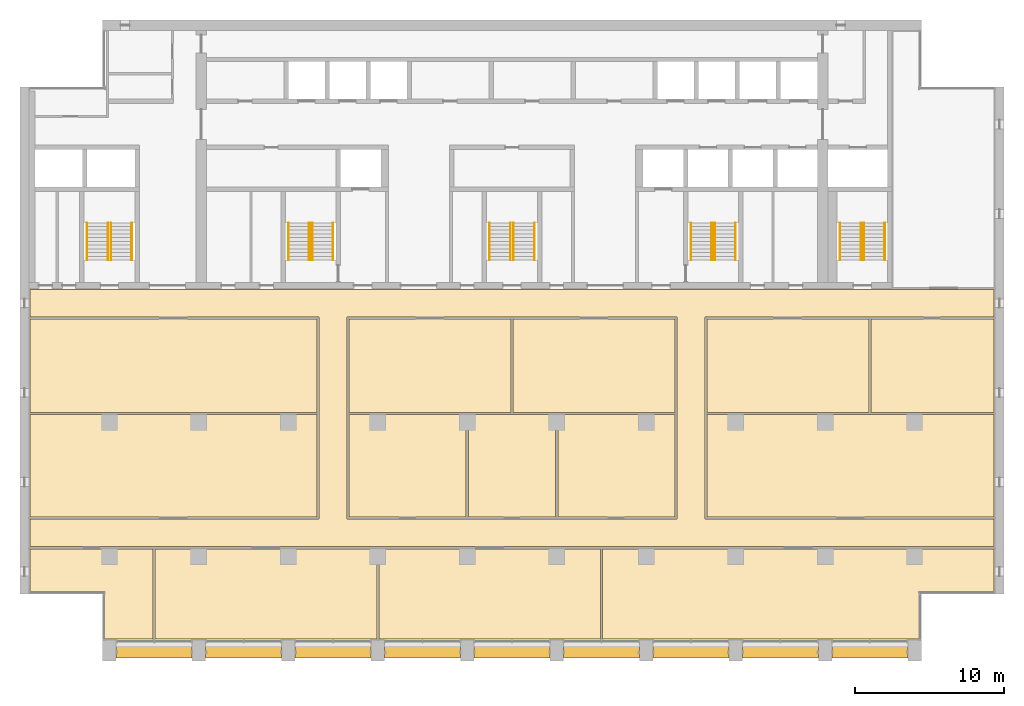
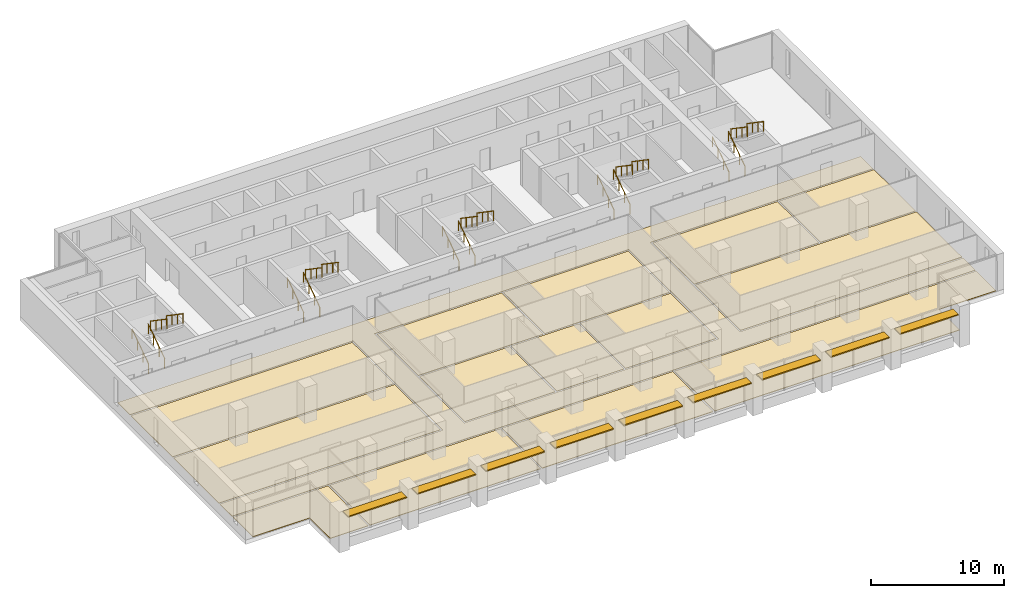
# One storey, part 16 of 17: 20 railings, 15 coverings, 9 shading devices, 5 elements without a shape of their own.
"""IFC4 building model written with IfcOpenShell, lengths in metres."""

from ifc_helpers import new_model, si_unit, direction, frame, origin, origin_2d, place, context, subcontext, project, spatial, polyline, rectangle, circle, outline, extrude, material, layer, layer_set, material_profile, profile_set, type_object, element, aggregate, save


model = new_model("IFC4")

# Units and contexts
model_context = context("Model", 3, precision=1e-05, world=origin(), true_north=direction((0.0, 1.0)))
body_context = subcontext(model_context, "Body", "Model", "MODEL_VIEW")
ifc_project = project(units=[si_unit("LENGTHUNIT", "METRE"), si_unit("AREAUNIT", "SQUARE_METRE"), si_unit("VOLUMEUNIT", "CUBIC_METRE"), si_unit("PLANEANGLEUNIT", "RADIAN"), si_unit("MASSUNIT", "GRAM", prefix="KILO")], contexts=[model_context])

# Site, building, storey
site_placement = place(None, origin())
site = spatial("IfcSite", under=ifc_project, at=site_placement, CompositionType="ELEMENT")
building_placement = place(site_placement, origin())
building = spatial("IfcBuilding", under=site, at=building_placement, Name="Calvaro Tower", CompositionType="ELEMENT")
storey_placement = place(building_placement, frame((0.0, 0.0, 189.25)))
storey = spatial("IfcBuildingStorey", under=building, at=storey_placement, Name="L47", CompositionType="ELEMENT", Elevation=189.25)

# Shading devices
ifc_material_1 = material(Name="Anodised aluminium", Category="aluminium")
ifc_material_profile = material_profile(ifc_material_1, rectangle(XDim=0.800048828125, YDim=0.10009765625, at=origin_2d()), Name="Brise-soleil blade 800 x 100")
ifc_profile_set = profile_set([ifc_material_profile], Name="Anodised aluminium")
shading_device_type = type_object("IfcShadingDeviceType", Name="Brise-soleil blade 800 x 100", PredefinedType="JALOUSIE", material=ifc_profile_set)
for number, where, z_axis, x_axis, name in (
    (1, (12.449951171875, 3.60009765625, 2.5), (1.0, 0.0, 0.0), (0.0, 1.0, 0.0), "Brise-soleil blade 1"),
    (2, (18.449951171875, 3.60009765625, 2.5), (1.0, 0.0, 0.0), (0.0, 1.0, 0.0), "Brise-soleil blade 2"),
    (3, (24.449951171875, 3.60009765625, 2.5), (1.0, 0.0, 0.0), (0.0, 1.0, 0.0), "Brise-soleil blade 3"),
    (4, (30.449951171875, 3.60009765625, 2.5), (1.0, 0.0, 0.0), (0.0, 1.0, 0.0), "Brise-soleil blade 4"),
    (5, (36.449951171875, 3.60009765625, 2.5), (1.0, 0.0, 0.0), (0.0, 1.0, 0.0), "Brise-soleil blade 5"),
    (6, (42.449951171875, 3.60009765625, 2.5), (1.0, 0.0, 0.0), (0.0, 1.0, 0.0), "Brise-soleil blade 6"),
    (7, (48.449951171875, 3.60009765625, 2.5), (1.0, 0.0, 0.0), (0.0, 1.0, 0.0), "Brise-soleil blade 7"),
    (8, (54.449951171875, 3.60009765625, 2.5), (1.0, 0.0, 0.0), (0.0, 1.0, 0.0), "Brise-soleil blade 8"),
    (9, (60.449951171875, 3.60009765625, 2.5), (1.0, 0.0, 0.0), (0.0, 1.0, 0.0), "Brise-soleil blade 9"),
):
    element("IfcShadingDevice", number, at=place(storey_placement, frame(where, z_axis=z_axis, x_axis=x_axis)), inside=storey, type_object=shading_device_type, Name=name, PredefinedType="JALOUSIE", context=body_context, shape_type="SweptSolid", body=[
        extrude(rectangle(XDim=0.800048828125, YDim=0.10009765625, at=origin_2d()), origin(), (0.0, 0.0, 1.0), 5.10009765625),
    ])

# Coverings
ifc_material_2 = material(Name="Cement screed with carpet tile finish")
ifc_layer = layer(ifc_material_2, 0.050048828125)
ifc_layer_set = layer_set([ifc_layer], Name="Cement screed with carpet tile finish")
covering_type = type_object("IfcCoveringType", Name="Floor finish 50", PredefinedType="FLOORING", material=ifc_layer_set)
covering_1_placement = place(storey_placement, origin())
element("IfcCovering", 10, at=covering_1_placement, inside=storey, type_object=covering_type, Name="Floor finish 27.01", PredefinedType="FLOORING", context=body_context, shape_type="SweptSolid", body=[
    extrude(outline(polyline([(6.669921875, 10.669921875), (6.669921875, 12.530029296875), (26.070068359375, 12.530029296875), (26.070068359375, 26.070068359375), (6.669921875, 26.070068359375), (6.669921875, 27.929931640625), (71.330078125, 27.929931640625), (71.330078125, 26.070068359375), (51.929931640625, 26.070068359375), (51.929931640625, 12.530029296875), (71.330078125, 12.530029296875), (71.330078125, 10.669921875), (6.669921875, 10.669921875)]), holes=[polyline([(50.070068359375, 12.530029296875), (50.070068359375, 26.070068359375), (27.929931640625, 26.070068359375), (27.929931640625, 12.530029296875), (50.070068359375, 12.530029296875)])]), origin(), (0.0, 0.0, 1.0), 0.050048828125),
])
covering_2_placement = place(storey_placement, origin())
element("IfcCovering", 11, at=covering_2_placement, inside=storey, type_object=covering_type, Name="Floor finish 27.05", PredefinedType="FLOORING", context=body_context, shape_type="SweptSolid", body=[
    extrude(outline(polyline([(14.929931640625, 10.530029296875), (14.929931640625, 4.469970703125), (11.6201171875, 4.469970703125), (11.6201171875, 7.570068359375), (6.669921875, 7.570068359375), (6.669921875, 10.530029296875), (14.929931640625, 10.530029296875)])), origin(), (0.0, 0.0, 1.0), 0.050048828125),
])
covering_3_placement = place(storey_placement, origin())
element("IfcCovering", 12, at=covering_3_placement, inside=storey, type_object=covering_type, Name="Floor finish 27.02", PredefinedType="FLOORING", context=body_context, shape_type="SweptSolid", body=[
    extrude(outline(polyline([(15.070068359375, 10.530029296875), (29.929931640625, 10.530029296875), (29.929931640625, 4.469970703125), (15.070068359375, 4.469970703125), (15.070068359375, 10.530029296875)])), origin(), (0.0, 0.0, 1.0), 0.050048828125),
])
covering_4_placement = place(storey_placement, origin())
element("IfcCovering", 13, at=covering_4_placement, inside=storey, type_object=covering_type, Name="Floor finish 27.03", PredefinedType="FLOORING", context=body_context, shape_type="SweptSolid", body=[
    extrude(outline(polyline([(30.070068359375, 10.530029296875), (44.929931640625, 10.530029296875), (44.929931640625, 4.469970703125), (30.070068359375, 4.469970703125), (30.070068359375, 10.530029296875)])), origin(), (0.0, 0.0, 1.0), 0.050048828125),
])
covering_5_placement = place(storey_placement, origin())
element("IfcCovering", 14, at=covering_5_placement, inside=storey, type_object=covering_type, Name="Floor finish 27.04", PredefinedType="FLOORING", context=body_context, shape_type="SweptSolid", body=[
    extrude(outline(polyline([(71.330078125, 7.570068359375), (66.3798828125, 7.570068359375), (66.3798828125, 4.469970703125), (45.070068359375, 4.469970703125), (45.070068359375, 10.530029296875), (71.330078125, 10.530029296875), (71.330078125, 7.570068359375)])), origin(), (0.0, 0.0, 1.0), 0.050048828125),
])
covering_6_placement = place(storey_placement, origin())
element("IfcCovering", 15, at=covering_6_placement, inside=storey, type_object=covering_type, Name="Floor finish 27.06", PredefinedType="FLOORING", context=body_context, shape_type="SweptSolid", body=[
    extrude(outline(polyline([(25.929931640625, 19.530029296875), (25.929931640625, 12.669921875), (6.669921875, 12.669921875), (6.669921875, 19.530029296875), (25.929931640625, 19.530029296875)])), origin(), (0.0, 0.0, 1.0), 0.050048828125),
])
covering_7_placement = place(storey_placement, origin())
element("IfcCovering", 16, at=covering_7_placement, inside=storey, type_object=covering_type, Name="Floor finish 27.11", PredefinedType="FLOORING", context=body_context, shape_type="SweptSolid", body=[
    extrude(outline(polyline([(25.929931640625, 25.929931640625), (25.929931640625, 19.669921875), (6.669921875, 19.669921875), (6.669921875, 25.929931640625), (25.929931640625, 25.929931640625)])), origin(), (0.0, 0.0, 1.0), 0.050048828125),
])
covering_8_placement = place(storey_placement, origin())
element("IfcCovering", 17, at=covering_8_placement, inside=storey, type_object=covering_type, Name="Floor finish 27.07", PredefinedType="FLOORING", context=body_context, shape_type="SweptSolid", body=[
    extrude(outline(polyline([(28.070068359375, 12.669921875), (28.070068359375, 19.530029296875), (35.929931640625, 19.530029296875), (35.929931640625, 12.669921875), (28.070068359375, 12.669921875)])), origin(), (0.0, 0.0, 1.0), 0.050048828125),
])
covering_9_placement = place(storey_placement, origin())
element("IfcCovering", 18, at=covering_9_placement, inside=storey, type_object=covering_type, Name="Floor finish 27.08", PredefinedType="FLOORING", context=body_context, shape_type="SweptSolid", body=[
    extrude(outline(polyline([(36.070068359375, 12.669921875), (36.070068359375, 19.530029296875), (41.929931640625, 19.530029296875), (41.929931640625, 12.669921875), (36.070068359375, 12.669921875)])), origin(), (0.0, 0.0, 1.0), 0.050048828125),
])
covering_10_placement = place(storey_placement, origin())
element("IfcCovering", 19, at=covering_10_placement, inside=storey, type_object=covering_type, Name="Floor finish 27.09", PredefinedType="FLOORING", context=body_context, shape_type="SweptSolid", body=[
    extrude(outline(polyline([(42.070068359375, 12.669921875), (42.070068359375, 19.530029296875), (49.929931640625, 19.530029296875), (49.929931640625, 12.669921875), (42.070068359375, 12.669921875)])), origin(), (0.0, 0.0, 1.0), 0.050048828125),
])
covering_11_placement = place(storey_placement, origin())
element("IfcCovering", 20, at=covering_11_placement, inside=storey, type_object=covering_type, Name="Floor finish 27.12", PredefinedType="FLOORING", context=body_context, shape_type="SweptSolid", body=[
    extrude(outline(polyline([(28.070068359375, 19.669921875), (28.070068359375, 25.929931640625), (38.929931640625, 25.929931640625), (38.929931640625, 19.669921875), (28.070068359375, 19.669921875)])), origin(), (0.0, 0.0, 1.0), 0.050048828125),
])
covering_12_placement = place(storey_placement, origin())
element("IfcCovering", 21, at=covering_12_placement, inside=storey, type_object=covering_type, Name="Floor finish 27.13", PredefinedType="FLOORING", context=body_context, shape_type="SweptSolid", body=[
    extrude(outline(polyline([(39.070068359375, 19.669921875), (39.070068359375, 25.929931640625), (49.929931640625, 25.929931640625), (49.929931640625, 19.669921875), (39.070068359375, 19.669921875)])), origin(), (0.0, 0.0, 1.0), 0.050048828125),
])
covering_13_placement = place(storey_placement, origin())
element("IfcCovering", 22, at=covering_13_placement, inside=storey, type_object=covering_type, Name="Floor finish 27.10", PredefinedType="FLOORING", context=body_context, shape_type="SweptSolid", body=[
    extrude(outline(polyline([(71.330078125, 12.669921875), (52.070068359375, 12.669921875), (52.070068359375, 19.530029296875), (71.330078125, 19.530029296875), (71.330078125, 12.669921875)])), origin(), (0.0, 0.0, 1.0), 0.050048828125),
])
covering_14_placement = place(storey_placement, origin())
element("IfcCovering", 23, at=covering_14_placement, inside=storey, type_object=covering_type, Name="Floor finish 27.14", PredefinedType="FLOORING", context=body_context, shape_type="SweptSolid", body=[
    extrude(outline(polyline([(52.070068359375, 19.669921875), (52.070068359375, 25.929931640625), (62.929931640625, 25.929931640625), (62.929931640625, 19.669921875), (52.070068359375, 19.669921875)])), origin(), (0.0, 0.0, 1.0), 0.050048828125),
])
covering_15_placement = place(storey_placement, origin())
element("IfcCovering", 24, at=covering_15_placement, inside=storey, type_object=covering_type, Name="Floor finish 27.15", PredefinedType="FLOORING", context=body_context, shape_type="SweptSolid", body=[
    extrude(outline(polyline([(71.330078125, 19.669921875), (63.070068359375, 19.669921875), (63.070068359375, 25.929931640625), (71.330078125, 25.929931640625), (71.330078125, 19.669921875)])), origin(), (0.0, 0.0, 1.0), 0.050048828125),
])

# Stair, railings
ifc_material_3 = material(Name="Concrete C40/50", Category="concrete")
stair_type = type_object("IfcStairType", Name="Exit stair 1400 2 flights", PredefinedType="HALF_TURN_STAIR", material=ifc_material_3)
stair_1_placement = place(storey_placement, origin())
stair_1 = element("IfcStair", 25, at=stair_1_placement, inside=storey, type_object=stair_type, Name="Exit stair S1", PredefinedType="HALF_TURN_STAIR")
ifc_material_4 = material(Name="Stainless steel", Category="steel")
railing_type = type_object("IfcRailingType", Name="Stair handrail", PredefinedType="HANDRAIL", material=ifc_material_4)
railing_1_placement = place(storey_placement, frame((11.89990234375, 29.89990234375, 0.17041015625)))
railing_1 = element("IfcRailing", 26, at=railing_1_placement, type_object=railing_type, Name="Exit stair 1 handrail", PredefinedType="HANDRAIL", context=body_context, shape_type="SweptSolid", body=[
    extrude(circle(Radius=0.02392578125, at=origin_2d()), frame((0.0, 0.0, 0.8759765625), z_axis=(0.0, 0.826220514629, 0.563346839174), x_axis=(-1.0, 0.0, 0.0)), (0.0, 0.0, 1.0), 3.02587890625),
    extrude(circle(Radius=0.02099609375, at=origin_2d()), frame((0.0, 0.017333984375, 0.01171875)), (0.0, 0.0, 1.0), 0.851806640625),
    extrude(circle(Radius=0.02099609375, at=origin_2d()), frame((0.0, 0.833251953125, 0.568115234375)), (0.0, 0.0, 1.0), 0.851806640625),
    extrude(circle(Radius=0.02099609375, at=origin_2d()), frame((0.0, 1.666748046875, 1.136474609375)), (0.0, 0.0, 1.0), 0.851806640625),
    extrude(circle(Radius=0.02099609375, at=origin_2d()), frame((0.0, 2.482666015625, 1.69287109375)), (0.0, 0.0, 1.0), 0.851806640625),
])
railing_2_placement = place(storey_placement, frame((10.5, 29.89990234375, 0.17041015625)))
railing_2 = element("IfcRailing", 27, at=railing_2_placement, type_object=railing_type, Name="Exit stair 1 handrail", PredefinedType="HANDRAIL", context=body_context, shape_type="SweptSolid", body=[
    extrude(circle(Radius=0.02392578125, at=origin_2d()), frame((0.0, 0.0, 0.8759765625), z_axis=(0.0, 0.826220514629, 0.563346839174), x_axis=(-1.0, 0.0, 0.0)), (0.0, 0.0, 1.0), 3.02587890625),
    extrude(circle(Radius=0.02099609375, at=origin_2d()), frame((0.0, 0.017333984375, 0.01171875)), (0.0, 0.0, 1.0), 0.851806640625),
    extrude(circle(Radius=0.02099609375, at=origin_2d()), frame((0.0, 0.833251953125, 0.568115234375)), (0.0, 0.0, 1.0), 0.851806640625),
    extrude(circle(Radius=0.02099609375, at=origin_2d()), frame((0.0, 1.666748046875, 1.136474609375)), (0.0, 0.0, 1.0), 0.851806640625),
    extrude(circle(Radius=0.02099609375, at=origin_2d()), frame((0.0, 2.482666015625, 1.69287109375)), (0.0, 0.0, 1.0), 0.851806640625),
])
railing_3_placement = place(storey_placement, frame((12.10009765625, 32.39990234375, 2.04541015625)))
railing_3 = element("IfcRailing", 28, at=railing_3_placement, type_object=railing_type, Name="Exit stair 1 handrail", PredefinedType="HANDRAIL", context=body_context, shape_type="SweptSolid", body=[
    extrude(circle(Radius=0.02392578125, at=origin_2d()), frame((0.0, 0.0, 0.8759765625), z_axis=(0.0, -0.826220514629, 0.563346839174), x_axis=(1.0, 0.0, 0.0)), (0.0, 0.0, 1.0), 3.02587890625),
    extrude(circle(Radius=0.02099609375, at=origin_2d()), frame((0.0, -0.017333984375, 0.01171875)), (0.0, 0.0, 1.0), 0.851806640625),
    extrude(circle(Radius=0.02099609375, at=origin_2d()), frame((0.0, -0.833251953125, 0.568115234375)), (0.0, 0.0, 1.0), 0.851806640625),
    extrude(circle(Radius=0.02099609375, at=origin_2d()), frame((0.0, -1.666748046875, 1.136474609375)), (0.0, 0.0, 1.0), 0.851806640625),
    extrude(circle(Radius=0.02099609375, at=origin_2d()), frame((0.0, -2.482666015625, 1.69287109375)), (0.0, 0.0, 1.0), 0.851806640625),
])
railing_4_placement = place(storey_placement, frame((13.5, 32.39990234375, 2.04541015625)))
railing_4 = element("IfcRailing", 29, at=railing_4_placement, type_object=railing_type, Name="Exit stair 1 handrail", PredefinedType="HANDRAIL", context=body_context, shape_type="SweptSolid", body=[
    extrude(circle(Radius=0.02392578125, at=origin_2d()), frame((0.0, 0.0, 0.8759765625), z_axis=(0.0, -0.826220514629, 0.563346839174), x_axis=(1.0, 0.0, 0.0)), (0.0, 0.0, 1.0), 3.02587890625),
    extrude(circle(Radius=0.02099609375, at=origin_2d()), frame((0.0, -0.017333984375, 0.01171875)), (0.0, 0.0, 1.0), 0.851806640625),
    extrude(circle(Radius=0.02099609375, at=origin_2d()), frame((0.0, -0.833251953125, 0.568115234375)), (0.0, 0.0, 1.0), 0.851806640625),
    extrude(circle(Radius=0.02099609375, at=origin_2d()), frame((0.0, -1.666748046875, 1.136474609375)), (0.0, 0.0, 1.0), 0.851806640625),
    extrude(circle(Radius=0.02099609375, at=origin_2d()), frame((0.0, -2.482666015625, 1.69287109375)), (0.0, 0.0, 1.0), 0.851806640625),
])
aggregate(stair_1, [railing_1, railing_2, railing_3, railing_4])

stair_2_placement = place(storey_placement, origin())
stair_2 = element("IfcStair", 30, at=stair_2_placement, inside=storey, type_object=stair_type, Name="Exit stair S2", PredefinedType="HALF_TURN_STAIR")
railing_5_placement = place(storey_placement, frame((25.39990234375, 29.89990234375, 0.17041015625)))
railing_5 = element("IfcRailing", 31, at=railing_5_placement, type_object=railing_type, Name="Exit stair 2 handrail", PredefinedType="HANDRAIL", context=body_context, shape_type="SweptSolid", body=[
    extrude(circle(Radius=0.02392578125, at=origin_2d()), frame((0.0, 0.0, 0.8759765625), z_axis=(0.0, 0.826220514629, 0.563346839174), x_axis=(-1.0, 0.0, 0.0)), (0.0, 0.0, 1.0), 3.02587890625),
    extrude(circle(Radius=0.02099609375, at=origin_2d()), frame((0.0, 0.017333984375, 0.01171875)), (0.0, 0.0, 1.0), 0.851806640625),
    extrude(circle(Radius=0.02099609375, at=origin_2d()), frame((0.0, 0.833251953125, 0.568115234375)), (0.0, 0.0, 1.0), 0.851806640625),
    extrude(circle(Radius=0.02099609375, at=origin_2d()), frame((0.0, 1.666748046875, 1.136474609375)), (0.0, 0.0, 1.0), 0.851806640625),
    extrude(circle(Radius=0.02099609375, at=origin_2d()), frame((0.0, 2.482666015625, 1.69287109375)), (0.0, 0.0, 1.0), 0.851806640625),
])
railing_6_placement = place(storey_placement, frame((24.0, 29.89990234375, 0.17041015625)))
railing_6 = element("IfcRailing", 32, at=railing_6_placement, type_object=railing_type, Name="Exit stair 2 handrail", PredefinedType="HANDRAIL", context=body_context, shape_type="SweptSolid", body=[
    extrude(circle(Radius=0.02392578125, at=origin_2d()), frame((0.0, 0.0, 0.8759765625), z_axis=(0.0, 0.826220514629, 0.563346839174), x_axis=(-1.0, 0.0, 0.0)), (0.0, 0.0, 1.0), 3.02587890625),
    extrude(circle(Radius=0.02099609375, at=origin_2d()), frame((0.0, 0.017333984375, 0.01171875)), (0.0, 0.0, 1.0), 0.851806640625),
    extrude(circle(Radius=0.02099609375, at=origin_2d()), frame((0.0, 0.833251953125, 0.568115234375)), (0.0, 0.0, 1.0), 0.851806640625),
    extrude(circle(Radius=0.02099609375, at=origin_2d()), frame((0.0, 1.666748046875, 1.136474609375)), (0.0, 0.0, 1.0), 0.851806640625),
    extrude(circle(Radius=0.02099609375, at=origin_2d()), frame((0.0, 2.482666015625, 1.69287109375)), (0.0, 0.0, 1.0), 0.851806640625),
])
railing_7_placement = place(storey_placement, frame((25.60009765625, 32.39990234375, 2.04541015625)))
railing_7 = element("IfcRailing", 33, at=railing_7_placement, type_object=railing_type, Name="Exit stair 2 handrail", PredefinedType="HANDRAIL", context=body_context, shape_type="SweptSolid", body=[
    extrude(circle(Radius=0.02392578125, at=origin_2d()), frame((0.0, 0.0, 0.8759765625), z_axis=(0.0, -0.826220514629, 0.563346839174), x_axis=(1.0, 0.0, 0.0)), (0.0, 0.0, 1.0), 3.02587890625),
    extrude(circle(Radius=0.02099609375, at=origin_2d()), frame((0.0, -0.017333984375, 0.01171875)), (0.0, 0.0, 1.0), 0.851806640625),
    extrude(circle(Radius=0.02099609375, at=origin_2d()), frame((0.0, -0.833251953125, 0.568115234375)), (0.0, 0.0, 1.0), 0.851806640625),
    extrude(circle(Radius=0.02099609375, at=origin_2d()), frame((0.0, -1.666748046875, 1.136474609375)), (0.0, 0.0, 1.0), 0.851806640625),
    extrude(circle(Radius=0.02099609375, at=origin_2d()), frame((0.0, -2.482666015625, 1.69287109375)), (0.0, 0.0, 1.0), 0.851806640625),
])
railing_8_placement = place(storey_placement, frame((27.0, 32.39990234375, 2.04541015625)))
railing_8 = element("IfcRailing", 34, at=railing_8_placement, type_object=railing_type, Name="Exit stair 2 handrail", PredefinedType="HANDRAIL", context=body_context, shape_type="SweptSolid", body=[
    extrude(circle(Radius=0.02392578125, at=origin_2d()), frame((0.0, 0.0, 0.8759765625), z_axis=(0.0, -0.826220514629, 0.563346839174), x_axis=(1.0, 0.0, 0.0)), (0.0, 0.0, 1.0), 3.02587890625),
    extrude(circle(Radius=0.02099609375, at=origin_2d()), frame((0.0, -0.017333984375, 0.01171875)), (0.0, 0.0, 1.0), 0.851806640625),
    extrude(circle(Radius=0.02099609375, at=origin_2d()), frame((0.0, -0.833251953125, 0.568115234375)), (0.0, 0.0, 1.0), 0.851806640625),
    extrude(circle(Radius=0.02099609375, at=origin_2d()), frame((0.0, -1.666748046875, 1.136474609375)), (0.0, 0.0, 1.0), 0.851806640625),
    extrude(circle(Radius=0.02099609375, at=origin_2d()), frame((0.0, -2.482666015625, 1.69287109375)), (0.0, 0.0, 1.0), 0.851806640625),
])
aggregate(stair_2, [railing_5, railing_6, railing_7, railing_8])

stair_3_placement = place(storey_placement, origin())
stair_3 = element("IfcStair", 35, at=stair_3_placement, inside=storey, type_object=stair_type, Name="Exit stair S3", PredefinedType="HALF_TURN_STAIR")
railing_9_placement = place(storey_placement, frame((38.89990234375, 29.89990234375, 0.17041015625)))
railing_9 = element("IfcRailing", 36, at=railing_9_placement, type_object=railing_type, Name="Exit stair 3 handrail", PredefinedType="HANDRAIL", context=body_context, shape_type="SweptSolid", body=[
    extrude(circle(Radius=0.02392578125, at=origin_2d()), frame((0.0, 0.0, 0.8759765625), z_axis=(0.0, 0.826220514629, 0.563346839174), x_axis=(-1.0, 0.0, 0.0)), (0.0, 0.0, 1.0), 3.02587890625),
    extrude(circle(Radius=0.02099609375, at=origin_2d()), frame((0.0, 0.017333984375, 0.01171875)), (0.0, 0.0, 1.0), 0.851806640625),
    extrude(circle(Radius=0.02099609375, at=origin_2d()), frame((0.0, 0.833251953125, 0.568115234375)), (0.0, 0.0, 1.0), 0.851806640625),
    extrude(circle(Radius=0.02099609375, at=origin_2d()), frame((0.0, 1.666748046875, 1.136474609375)), (0.0, 0.0, 1.0), 0.851806640625),
    extrude(circle(Radius=0.02099609375, at=origin_2d()), frame((0.0, 2.482666015625, 1.69287109375)), (0.0, 0.0, 1.0), 0.851806640625),
])
railing_10_placement = place(storey_placement, frame((37.5, 29.89990234375, 0.17041015625)))
railing_10 = element("IfcRailing", 37, at=railing_10_placement, type_object=railing_type, Name="Exit stair 3 handrail", PredefinedType="HANDRAIL", context=body_context, shape_type="SweptSolid", body=[
    extrude(circle(Radius=0.02392578125, at=origin_2d()), frame((0.0, 0.0, 0.8759765625), z_axis=(0.0, 0.826220514629, 0.563346839174), x_axis=(-1.0, 0.0, 0.0)), (0.0, 0.0, 1.0), 3.02587890625),
    extrude(circle(Radius=0.02099609375, at=origin_2d()), frame((0.0, 0.017333984375, 0.01171875)), (0.0, 0.0, 1.0), 0.851806640625),
    extrude(circle(Radius=0.02099609375, at=origin_2d()), frame((0.0, 0.833251953125, 0.568115234375)), (0.0, 0.0, 1.0), 0.851806640625),
    extrude(circle(Radius=0.02099609375, at=origin_2d()), frame((0.0, 1.666748046875, 1.136474609375)), (0.0, 0.0, 1.0), 0.851806640625),
    extrude(circle(Radius=0.02099609375, at=origin_2d()), frame((0.0, 2.482666015625, 1.69287109375)), (0.0, 0.0, 1.0), 0.851806640625),
])
railing_11_placement = place(storey_placement, frame((39.10009765625, 32.39990234375, 2.04541015625)))
railing_11 = element("IfcRailing", 38, at=railing_11_placement, type_object=railing_type, Name="Exit stair 3 handrail", PredefinedType="HANDRAIL", context=body_context, shape_type="SweptSolid", body=[
    extrude(circle(Radius=0.02392578125, at=origin_2d()), frame((0.0, 0.0, 0.8759765625), z_axis=(0.0, -0.826220514629, 0.563346839174), x_axis=(1.0, 0.0, 0.0)), (0.0, 0.0, 1.0), 3.02587890625),
    extrude(circle(Radius=0.02099609375, at=origin_2d()), frame((0.0, -0.017333984375, 0.01171875)), (0.0, 0.0, 1.0), 0.851806640625),
    extrude(circle(Radius=0.02099609375, at=origin_2d()), frame((0.0, -0.833251953125, 0.568115234375)), (0.0, 0.0, 1.0), 0.851806640625),
    extrude(circle(Radius=0.02099609375, at=origin_2d()), frame((0.0, -1.666748046875, 1.136474609375)), (0.0, 0.0, 1.0), 0.851806640625),
    extrude(circle(Radius=0.02099609375, at=origin_2d()), frame((0.0, -2.482666015625, 1.69287109375)), (0.0, 0.0, 1.0), 0.851806640625),
])
railing_12_placement = place(storey_placement, frame((40.5, 32.39990234375, 2.04541015625)))
railing_12 = element("IfcRailing", 39, at=railing_12_placement, type_object=railing_type, Name="Exit stair 3 handrail", PredefinedType="HANDRAIL", context=body_context, shape_type="SweptSolid", body=[
    extrude(circle(Radius=0.02392578125, at=origin_2d()), frame((0.0, 0.0, 0.8759765625), z_axis=(0.0, -0.826220514629, 0.563346839174), x_axis=(1.0, 0.0, 0.0)), (0.0, 0.0, 1.0), 3.02587890625),
    extrude(circle(Radius=0.02099609375, at=origin_2d()), frame((0.0, -0.017333984375, 0.01171875)), (0.0, 0.0, 1.0), 0.851806640625),
    extrude(circle(Radius=0.02099609375, at=origin_2d()), frame((0.0, -0.833251953125, 0.568115234375)), (0.0, 0.0, 1.0), 0.851806640625),
    extrude(circle(Radius=0.02099609375, at=origin_2d()), frame((0.0, -1.666748046875, 1.136474609375)), (0.0, 0.0, 1.0), 0.851806640625),
    extrude(circle(Radius=0.02099609375, at=origin_2d()), frame((0.0, -2.482666015625, 1.69287109375)), (0.0, 0.0, 1.0), 0.851806640625),
])
aggregate(stair_3, [railing_9, railing_10, railing_11, railing_12])

stair_4_placement = place(storey_placement, origin())
stair_4 = element("IfcStair", 40, at=stair_4_placement, inside=storey, type_object=stair_type, Name="Exit stair S4", PredefinedType="HALF_TURN_STAIR")
railing_13_placement = place(storey_placement, frame((52.39990234375, 29.89990234375, 0.17041015625)))
railing_13 = element("IfcRailing", 41, at=railing_13_placement, type_object=railing_type, Name="Exit stair 4 handrail", PredefinedType="HANDRAIL", context=body_context, shape_type="SweptSolid", body=[
    extrude(circle(Radius=0.02392578125, at=origin_2d()), frame((0.0, 0.0, 0.8759765625), z_axis=(0.0, 0.826220514629, 0.563346839174), x_axis=(-1.0, 0.0, 0.0)), (0.0, 0.0, 1.0), 3.02587890625),
    extrude(circle(Radius=0.02099609375, at=origin_2d()), frame((0.0, 0.017333984375, 0.01171875)), (0.0, 0.0, 1.0), 0.851806640625),
    extrude(circle(Radius=0.02099609375, at=origin_2d()), frame((0.0, 0.833251953125, 0.568115234375)), (0.0, 0.0, 1.0), 0.851806640625),
    extrude(circle(Radius=0.02099609375, at=origin_2d()), frame((0.0, 1.666748046875, 1.136474609375)), (0.0, 0.0, 1.0), 0.851806640625),
    extrude(circle(Radius=0.02099609375, at=origin_2d()), frame((0.0, 2.482666015625, 1.69287109375)), (0.0, 0.0, 1.0), 0.851806640625),
])
railing_14_placement = place(storey_placement, frame((51.0, 29.89990234375, 0.17041015625)))
railing_14 = element("IfcRailing", 42, at=railing_14_placement, type_object=railing_type, Name="Exit stair 4 handrail", PredefinedType="HANDRAIL", context=body_context, shape_type="SweptSolid", body=[
    extrude(circle(Radius=0.02392578125, at=origin_2d()), frame((0.0, 0.0, 0.8759765625), z_axis=(0.0, 0.826220514629, 0.563346839174), x_axis=(-1.0, 0.0, 0.0)), (0.0, 0.0, 1.0), 3.02587890625),
    extrude(circle(Radius=0.02099609375, at=origin_2d()), frame((0.0, 0.017333984375, 0.01171875)), (0.0, 0.0, 1.0), 0.851806640625),
    extrude(circle(Radius=0.02099609375, at=origin_2d()), frame((0.0, 0.833251953125, 0.568115234375)), (0.0, 0.0, 1.0), 0.851806640625),
    extrude(circle(Radius=0.02099609375, at=origin_2d()), frame((0.0, 1.666748046875, 1.136474609375)), (0.0, 0.0, 1.0), 0.851806640625),
    extrude(circle(Radius=0.02099609375, at=origin_2d()), frame((0.0, 2.482666015625, 1.69287109375)), (0.0, 0.0, 1.0), 0.851806640625),
])
railing_15_placement = place(storey_placement, frame((52.60009765625, 32.39990234375, 2.04541015625)))
railing_15 = element("IfcRailing", 43, at=railing_15_placement, type_object=railing_type, Name="Exit stair 4 handrail", PredefinedType="HANDRAIL", context=body_context, shape_type="SweptSolid", body=[
    extrude(circle(Radius=0.02392578125, at=origin_2d()), frame((0.0, 0.0, 0.8759765625), z_axis=(0.0, -0.826220514629, 0.563346839174), x_axis=(1.0, 0.0, 0.0)), (0.0, 0.0, 1.0), 3.02587890625),
    extrude(circle(Radius=0.02099609375, at=origin_2d()), frame((0.0, -0.017333984375, 0.01171875)), (0.0, 0.0, 1.0), 0.851806640625),
    extrude(circle(Radius=0.02099609375, at=origin_2d()), frame((0.0, -0.833251953125, 0.568115234375)), (0.0, 0.0, 1.0), 0.851806640625),
    extrude(circle(Radius=0.02099609375, at=origin_2d()), frame((0.0, -1.666748046875, 1.136474609375)), (0.0, 0.0, 1.0), 0.851806640625),
    extrude(circle(Radius=0.02099609375, at=origin_2d()), frame((0.0, -2.482666015625, 1.69287109375)), (0.0, 0.0, 1.0), 0.851806640625),
])
railing_16_placement = place(storey_placement, frame((54.0, 32.39990234375, 2.04541015625)))
railing_16 = element("IfcRailing", 44, at=railing_16_placement, type_object=railing_type, Name="Exit stair 4 handrail", PredefinedType="HANDRAIL", context=body_context, shape_type="SweptSolid", body=[
    extrude(circle(Radius=0.02392578125, at=origin_2d()), frame((0.0, 0.0, 0.8759765625), z_axis=(0.0, -0.826220514629, 0.563346839174), x_axis=(1.0, 0.0, 0.0)), (0.0, 0.0, 1.0), 3.02587890625),
    extrude(circle(Radius=0.02099609375, at=origin_2d()), frame((0.0, -0.017333984375, 0.01171875)), (0.0, 0.0, 1.0), 0.851806640625),
    extrude(circle(Radius=0.02099609375, at=origin_2d()), frame((0.0, -0.833251953125, 0.568115234375)), (0.0, 0.0, 1.0), 0.851806640625),
    extrude(circle(Radius=0.02099609375, at=origin_2d()), frame((0.0, -1.666748046875, 1.136474609375)), (0.0, 0.0, 1.0), 0.851806640625),
    extrude(circle(Radius=0.02099609375, at=origin_2d()), frame((0.0, -2.482666015625, 1.69287109375)), (0.0, 0.0, 1.0), 0.851806640625),
])
aggregate(stair_4, [railing_13, railing_14, railing_15, railing_16])

stair_5_placement = place(storey_placement, origin())
stair_5 = element("IfcStair", 45, at=stair_5_placement, inside=storey, type_object=stair_type, Name="Exit stair S5", PredefinedType="HALF_TURN_STAIR")
railing_17_placement = place(storey_placement, frame((62.39990234375, 29.89990234375, 0.17041015625)))
railing_17 = element("IfcRailing", 46, at=railing_17_placement, type_object=railing_type, Name="Exit stair 5 handrail", PredefinedType="HANDRAIL", context=body_context, shape_type="SweptSolid", body=[
    extrude(circle(Radius=0.02392578125, at=origin_2d()), frame((0.0, 0.0, 0.8759765625), z_axis=(0.0, 0.826220514629, 0.563346839174), x_axis=(-1.0, 0.0, 0.0)), (0.0, 0.0, 1.0), 3.02587890625),
    extrude(circle(Radius=0.02099609375, at=origin_2d()), frame((0.0, 0.017333984375, 0.01171875)), (0.0, 0.0, 1.0), 0.851806640625),
    extrude(circle(Radius=0.02099609375, at=origin_2d()), frame((0.0, 0.833251953125, 0.568115234375)), (0.0, 0.0, 1.0), 0.851806640625),
    extrude(circle(Radius=0.02099609375, at=origin_2d()), frame((0.0, 1.666748046875, 1.136474609375)), (0.0, 0.0, 1.0), 0.851806640625),
    extrude(circle(Radius=0.02099609375, at=origin_2d()), frame((0.0, 2.482666015625, 1.69287109375)), (0.0, 0.0, 1.0), 0.851806640625),
])
railing_18_placement = place(storey_placement, frame((61.0, 29.89990234375, 0.17041015625)))
railing_18 = element("IfcRailing", 47, at=railing_18_placement, type_object=railing_type, Name="Exit stair 5 handrail", PredefinedType="HANDRAIL", context=body_context, shape_type="SweptSolid", body=[
    extrude(circle(Radius=0.02392578125, at=origin_2d()), frame((0.0, 0.0, 0.8759765625), z_axis=(0.0, 0.826220514629, 0.563346839174), x_axis=(-1.0, 0.0, 0.0)), (0.0, 0.0, 1.0), 3.02587890625),
    extrude(circle(Radius=0.02099609375, at=origin_2d()), frame((0.0, 0.017333984375, 0.01171875)), (0.0, 0.0, 1.0), 0.851806640625),
    extrude(circle(Radius=0.02099609375, at=origin_2d()), frame((0.0, 0.833251953125, 0.568115234375)), (0.0, 0.0, 1.0), 0.851806640625),
    extrude(circle(Radius=0.02099609375, at=origin_2d()), frame((0.0, 1.666748046875, 1.136474609375)), (0.0, 0.0, 1.0), 0.851806640625),
    extrude(circle(Radius=0.02099609375, at=origin_2d()), frame((0.0, 2.482666015625, 1.69287109375)), (0.0, 0.0, 1.0), 0.851806640625),
])
railing_19_placement = place(storey_placement, frame((62.60009765625, 32.39990234375, 2.04541015625)))
railing_19 = element("IfcRailing", 48, at=railing_19_placement, type_object=railing_type, Name="Exit stair 5 handrail", PredefinedType="HANDRAIL", context=body_context, shape_type="SweptSolid", body=[
    extrude(circle(Radius=0.02392578125, at=origin_2d()), frame((0.0, 0.0, 0.8759765625), z_axis=(0.0, -0.826220514629, 0.563346839174), x_axis=(1.0, 0.0, 0.0)), (0.0, 0.0, 1.0), 3.02587890625),
    extrude(circle(Radius=0.02099609375, at=origin_2d()), frame((0.0, -0.017333984375, 0.01171875)), (0.0, 0.0, 1.0), 0.851806640625),
    extrude(circle(Radius=0.02099609375, at=origin_2d()), frame((0.0, -0.833251953125, 0.568115234375)), (0.0, 0.0, 1.0), 0.851806640625),
    extrude(circle(Radius=0.02099609375, at=origin_2d()), frame((0.0, -1.666748046875, 1.136474609375)), (0.0, 0.0, 1.0), 0.851806640625),
    extrude(circle(Radius=0.02099609375, at=origin_2d()), frame((0.0, -2.482666015625, 1.69287109375)), (0.0, 0.0, 1.0), 0.851806640625),
])
railing_20_placement = place(storey_placement, frame((64.0, 32.39990234375, 2.04541015625)))
railing_20 = element("IfcRailing", 49, at=railing_20_placement, type_object=railing_type, Name="Exit stair 5 handrail", PredefinedType="HANDRAIL", context=body_context, shape_type="SweptSolid", body=[
    extrude(circle(Radius=0.02392578125, at=origin_2d()), frame((0.0, 0.0, 0.8759765625), z_axis=(0.0, -0.826220514629, 0.563346839174), x_axis=(1.0, 0.0, 0.0)), (0.0, 0.0, 1.0), 3.02587890625),
    extrude(circle(Radius=0.02099609375, at=origin_2d()), frame((0.0, -0.017333984375, 0.01171875)), (0.0, 0.0, 1.0), 0.851806640625),
    extrude(circle(Radius=0.02099609375, at=origin_2d()), frame((0.0, -0.833251953125, 0.568115234375)), (0.0, 0.0, 1.0), 0.851806640625),
    extrude(circle(Radius=0.02099609375, at=origin_2d()), frame((0.0, -1.666748046875, 1.136474609375)), (0.0, 0.0, 1.0), 0.851806640625),
    extrude(circle(Radius=0.02099609375, at=origin_2d()), frame((0.0, -2.482666015625, 1.69287109375)), (0.0, 0.0, 1.0), 0.851806640625),
])
aggregate(stair_5, [railing_17, railing_18, railing_19, railing_20])

save(model, "model.ifc")
